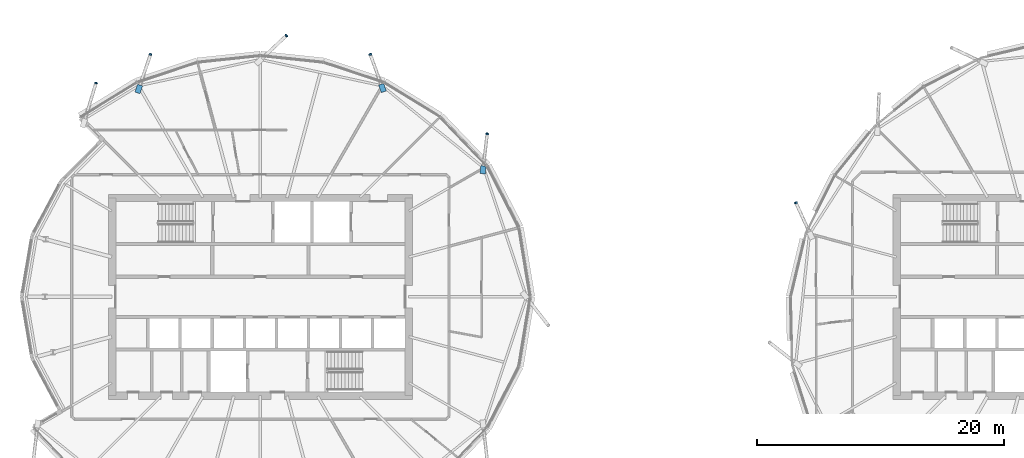
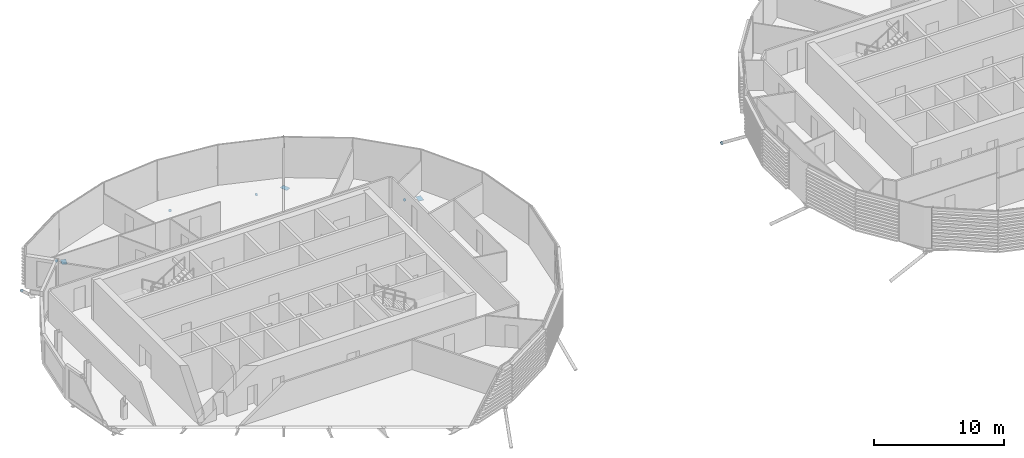
# One storey, part 28 of 36: 9 discrete accessories.
"""IFC4 building model written with IfcOpenShell, lengths in metres."""

from ifc_helpers import new_model, si_unit, direction, frame, origin, origin_2d, place, context, subcontext, project, spatial, polyline, rectangle, circle, outline, extrude, material, material_profile, profile_set, type_object, element, save


model = new_model("IFC4")

# Units and contexts
model_context = context("Model", 3, precision=1e-05, world=origin(), true_north=direction((0.0, 1.0)))
body_context = subcontext(model_context, "Body", "Model", "MODEL_VIEW")
ifc_project = project(units=[si_unit("LENGTHUNIT", "METRE"), si_unit("AREAUNIT", "SQUARE_METRE"), si_unit("VOLUMEUNIT", "CUBIC_METRE"), si_unit("PLANEANGLEUNIT", "RADIAN"), si_unit("MASSUNIT", "GRAM", prefix="KILO")], contexts=[model_context])

# Site, building, storey
site_placement = place(None, origin())
site = spatial("IfcSite", under=ifc_project, at=site_placement, CompositionType="ELEMENT")
building_placement = place(site_placement, origin())
building = spatial("IfcBuilding", under=site, at=building_placement, Name="Rimbun Link Towers", CompositionType="ELEMENT")
storey_placement = place(building_placement, frame((0.0, 0.0, 189.300048828125)))
storey = spatial("IfcBuildingStorey", under=building, at=storey_placement, Name="L46", CompositionType="ELEMENT", Elevation=189.300048828125)

# Discrete accessories
ifc_material_1 = material(Name="Steel S355J2H", Category="steel")
ifc_material_profile_1 = material_profile(ifc_material_1, circle(Radius=0.1240234375, at=origin_2d()), Name="PL D248")
ifc_profile_set_1 = profile_set([ifc_material_profile_1], Name="Steel S355J2H")
discrete_accessory_type_1 = type_object("IfcDiscreteAccessoryType", Name="Link foot sealing plate D248X20", PredefinedType="BRACKET", material=ifc_profile_set_1)
for number, where, z_axis, x_axis, name in (
    (1, (-13.3916015625, 13.183837890625, -2.516357421875), (0.085813702775, 0.821359726564, -0.563918618238), (-0.994586492849, 0.103912021641, 0.0), "Link foot sealing plate T1 L46 02"),
    (2, (-22.849365234375, 19.614501953125, -2.607177734375), (-0.282044096163, 0.784818354541, -0.551825405536), (-0.94107471628, -0.338198726163, 0.0), "Link foot sealing plate T1 L46 04"),
    (3, (-29.654296875, 21.130859375, -2.656005859375), (0.620568386957, 0.584064364195, -0.523224326258), (-0.685364699005, 0.728199992693, 0.0), "Link foot sealing plate T1 L46 06"),
    (4, (-40.64453125, 19.6103515625, -2.610107421875), (0.269882788147, 0.797380964979, -0.539765576293), (-0.947215969573, 0.320596174317, 0.0), "Link foot sealing plate T1 L46 08"),
    (5, (-45.05029296875, 17.3037109375, -2.474853515625), (0.256116606643, 0.841525993254, -0.475645126622), (-0.956673880429, 0.291161615783, 0.0), "Link foot sealing plate T1 L46 09"),
):
    element("IfcDiscreteAccessory", number, at=place(storey_placement, frame(where, z_axis=z_axis, x_axis=x_axis)), inside=storey, type_object=discrete_accessory_type_1, Name=name, PredefinedType="BRACKET", context=body_context, shape_type="SweptSolid", body=[
        extrude(circle(Radius=0.1240234375, at=origin_2d()), origin(), (0.0, 0.0, 1.0), 0.02001953125),
    ])
discrete_accessory_1_placement = place(storey_placement, frame((11.598876953125, 7.60498046875, -2.540283203125), z_axis=(-0.344109163124, 0.749666391091, -0.56532219656), x_axis=(-0.90882954572, -0.417167660331, 0.0)))
element("IfcDiscreteAccessory", 6, at=discrete_accessory_1_placement, inside=storey, type_object=discrete_accessory_type_1, Name="Link foot sealing plate T2 L46 08", PredefinedType="BRACKET", context=body_context, shape_type="SweptSolid", body=[
    extrude(circle(Radius=0.1240234375, at=origin_2d()), origin(), (0.0, 0.0, 1.0), 0.019775390625),
])
ifc_material_2 = material(Name="Steel S355J2H", Category="steel")
ifc_material_profile_2 = material_profile(ifc_material_2, rectangle(XDim=0.43310546875, YDim=0.43310546875, at=origin_2d()), Name="PL 433x433")
ifc_profile_set_2 = profile_set([ifc_material_profile_2], Name="Steel S355J2H")
discrete_accessory_type_2 = type_object("IfcDiscreteAccessoryType", Name="Link head end plate 433X20", PredefinedType="BRACKET", material=ifc_profile_set_2)
discrete_accessory_2_placement = place(storey_placement, frame((0.0, 0.0, -0.525146484375)))
element("IfcDiscreteAccessory", 7, at=discrete_accessory_2_placement, inside=storey, type_object=discrete_accessory_type_2, Name="Link head end plate T1 L46 02", PredefinedType="BRACKET", context=body_context, shape_type="SweptSolid", body=[
    extrude(outline(polyline([(-13.54638671875, 9.935302734375), (-13.472900390625, 10.576171875), (-13.903076171875, 10.62548828125), (-13.9765625, 9.98486328125), (-13.54638671875, 9.935302734375)])), origin(), (0.0, 0.0, 1.0), 0.02001953125),
])
discrete_accessory_3_placement = place(storey_placement, frame((0.0, 0.0, -0.703125)))
element("IfcDiscreteAccessory", 8, at=discrete_accessory_3_placement, inside=storey, type_object=discrete_accessory_type_2, Name="Link head end plate T1 L46 04", PredefinedType="BRACKET", context=body_context, shape_type="SweptSolid", body=[
    extrude(outline(polyline([(-21.549560546875, 16.669189453125), (-21.773193359375, 17.285400390625), (-22.180419921875, 17.1376953125), (-21.95654296875, 16.521484375), (-21.549560546875, 16.669189453125)])), origin(), (0.0, 0.0, 1.0), 0.02001953125),
])
discrete_accessory_4_placement = place(storey_placement, frame((0.0, 0.0, -0.703125)))
element("IfcDiscreteAccessory", 9, at=discrete_accessory_4_placement, inside=storey, type_object=discrete_accessory_type_2, Name="Link head end plate T1 L46 08", PredefinedType="BRACKET", context=body_context, shape_type="SweptSolid", body=[
    extrude(outline(polyline([(-41.4892578125, 16.437744140625), (-41.277099609375, 17.065185546875), (-41.687255859375, 17.203857421875), (-41.8994140625, 16.57666015625), (-41.4892578125, 16.437744140625)])), origin(), (0.0, 0.0, 1.0), 0.02001953125),
])

save(model, "model.ifc")
